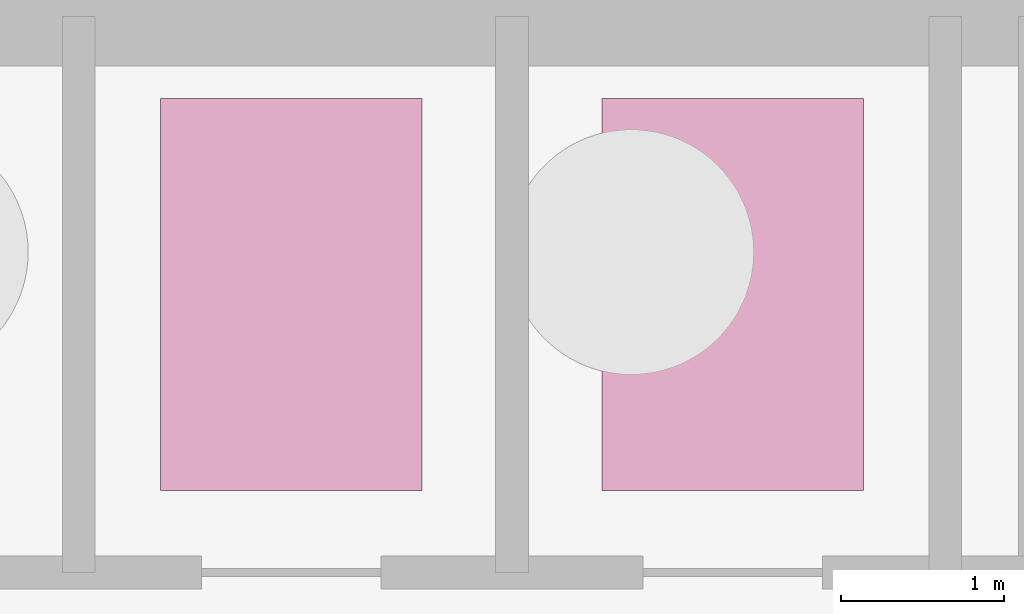
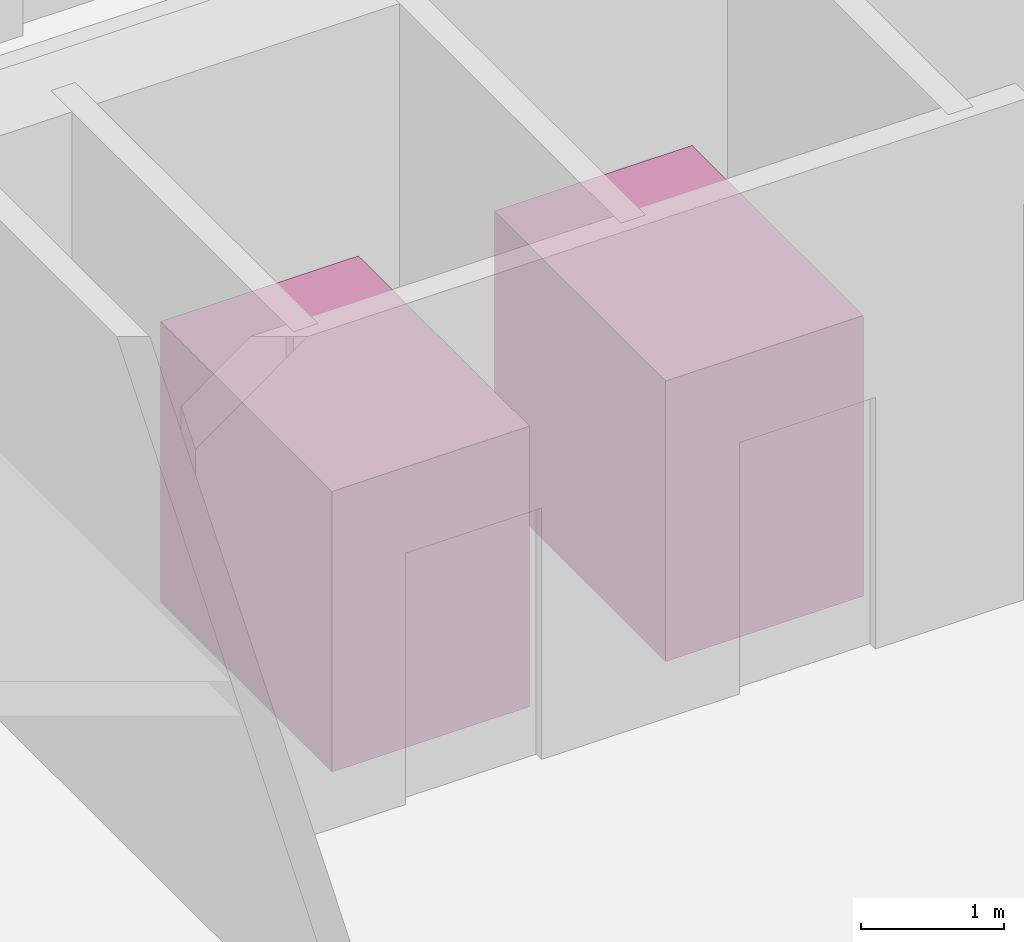
# One storey, part 9 of 9: 2 transport elements.
"""IFC4 building model written with IfcOpenShell, lengths in metres."""

from ifc_helpers import new_model, si_unit, direction, frame, origin, origin_2d, place, context, subcontext, project, spatial, rectangle, extrude, source, transform, mapped, material, type_object, element, save


model = new_model("IFC4")

# Units and contexts
model_context = context("Model", 3, precision=1e-05, world=origin(), true_north=direction((0.0, 1.0)))
body_context = subcontext(model_context, "Body", "Model", "MODEL_VIEW")
ifc_project = project(units=[si_unit("LENGTHUNIT", "METRE"), si_unit("AREAUNIT", "SQUARE_METRE"), si_unit("VOLUMEUNIT", "CUBIC_METRE"), si_unit("PLANEANGLEUNIT", "RADIAN"), si_unit("MASSUNIT", "GRAM", prefix="KILO")], contexts=[model_context])

# Site, building, storey
site_placement = place(None, origin())
site = spatial("IfcSite", under=ifc_project, at=site_placement, CompositionType="ELEMENT")
building_placement = place(site_placement, origin())
building = spatial("IfcBuilding", under=site, at=building_placement, Name="Trelvane Seafront Commons", CompositionType="ELEMENT")
storey_placement = place(building_placement, frame((0.0, 0.0, -13.199951171875)))
storey = spatial("IfcBuildingStorey", under=building, at=storey_placement, Name="B03", CompositionType="ELEMENT", Elevation=-13.199951171875)

# Transport elements
ifc_material = material(Name="Stainless steel balustrade", Category="steel")
transport_element_type = type_object("IfcTransportElementType", Name="ARCH-LIFT-FFL", PredefinedType="ELEVATOR", material=ifc_material)
shared_shape = source(origin(), body_context, "Body", "SweptSolid", [
    extrude(rectangle(XDim=1.60009765625, YDim=2.39990234375, at=origin_2d()), origin(), (0.0, 0.0, 1.0), 2.39990234375),
])
for number, where, z_axis, x_axis, name in (
    (1, (21.800048828125, 43.0, 0.0), (0.0, 0.0, 1.0), (1.0, 0.0, 0.0), "Firefighting and Emergency Stretcher Elevator FFL-1"),
    (2, (24.5, 43.0, 0.0), (0.0, 0.0, 1.0), (1.0, 0.0, 0.0), "Firefighting and Service Stretcher Elevator FFL-2"),
):
    element("IfcTransportElement", number, at=place(storey_placement, frame(where, z_axis=z_axis, x_axis=x_axis)), inside=storey, type_object=transport_element_type, Name=name, PredefinedType="ELEVATOR", context=body_context, shape_type="MappedRepresentation", body=[
        mapped(shared_shape, transform((0.0, 0.0, 0.0), x_axis=(1.0, 0.0, 0.0), y_axis=(0.0, 1.0, 0.0), z_axis=(0.0, 0.0, 1.0), scale=1.0)),
    ])

save(model, "model.ifc")
